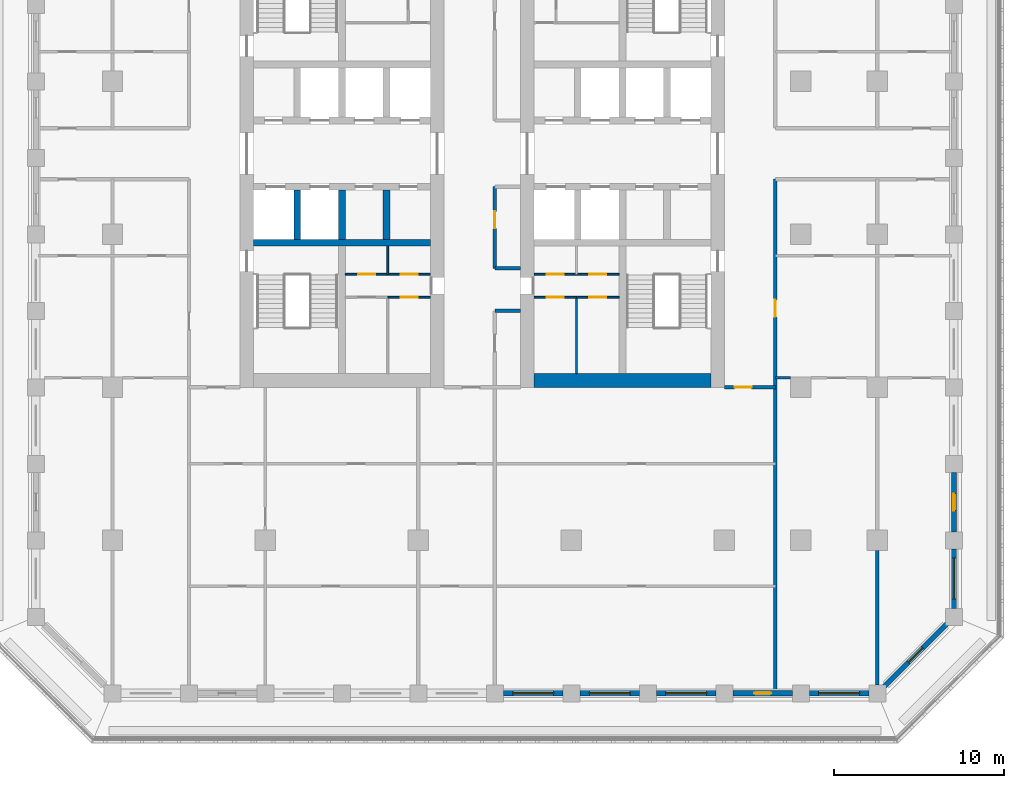
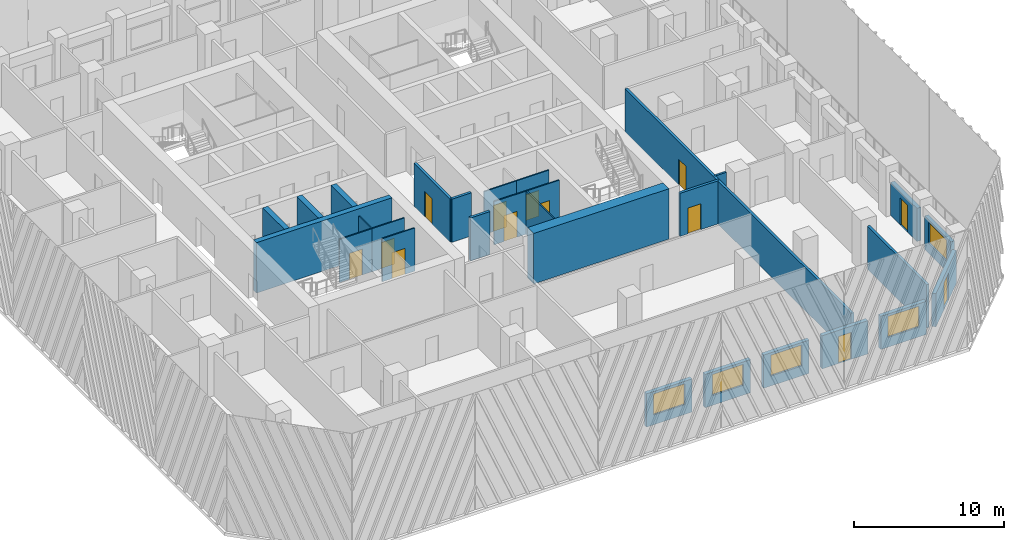
# One storey, part 4 of 17: 29 walls, 13 doors, 5 windows, 18 openings.
"""IFC4 building model written with IfcOpenShell, lengths in metres."""

from ifc_helpers import new_model, si_unit, direction, frame, frame_2d, origin, place, context, subcontext, project, spatial, rectangle, extrude, material, layer, layer_set, type_object, element, fill, save


model = new_model("IFC4")

# Units and contexts
model_context = context("Model", 3, precision=1e-05, world=origin(), true_north=direction((0.0, 1.0)))
body_context = subcontext(model_context, "Body", "Model", "MODEL_VIEW")
ifc_project = project(units=[si_unit("LENGTHUNIT", "METRE"), si_unit("AREAUNIT", "SQUARE_METRE"), si_unit("VOLUMEUNIT", "CUBIC_METRE"), si_unit("PLANEANGLEUNIT", "RADIAN"), si_unit("MASSUNIT", "GRAM", prefix="KILO")], contexts=[model_context])

# Site, building, storey
site_placement = place(None, origin())
site = spatial("IfcSite", under=ifc_project, at=site_placement, CompositionType="ELEMENT")
building_placement = place(site_placement, origin())
building = spatial("IfcBuilding", under=site, at=building_placement, Name="Corbel Stack Research Tower", CompositionType="ELEMENT")
storey_placement = place(building_placement, frame((0.0, 0.0, 216.10009765625)))
storey = spatial("IfcBuildingStorey", under=building, at=storey_placement, Name="L49", CompositionType="ELEMENT", Elevation=216.10009765625)

# Walls
ifc_material_1 = material(Name="Concrete C60/75", Category="concrete")
ifc_layer_1 = layer(ifc_material_1, 0.39990234375)
ifc_layer_set_1 = layer_set([ifc_layer_1], Name="Concrete C60/75")
wall_type_1 = type_object("IfcWallType", Name="CW-400-60", PredefinedType="SHEAR", material=ifc_layer_set_1)
wall_1_placement = place(storey_placement, frame((-9.699951171875, -0.5, 0.0), z_axis=(0.0, 0.0, 1.0), x_axis=(1.0, 0.0, 0.0)))
element("IfcWall", 1, at=wall_1_placement, inside=storey, type_object=wall_type_1, Name="West core wall, south row back L49", PredefinedType="SHEAR", context=body_context, shape_type="SweptSolid", body=[
    extrude(rectangle(XDim=10.39990234375, YDim=0.39990234375, at=frame_2d((5.199951171875, 0.0))), origin(), (0.0, 0.0, 1.0), 4.099853515625),
])
for number, where, z_axis, x_axis, name in (
    (2, (-7.125, -0.300048828125, 0.0), (0.0, 0.0, 1.0), (0.0, 1.0, 0.0), "West core wall, south shaft 1 L49"),
    (3, (-4.5, -0.300048828125, 0.0), (0.0, 0.0, 1.0), (0.0, 1.0, 0.0), "West core wall, south shaft 2 L49"),
    (4, (-1.875, -0.300048828125, 0.0), (0.0, 0.0, 1.0), (0.0, 1.0, 0.0), "West core wall, south shaft 3 L49"),
):
    element("IfcWall", number, at=place(storey_placement, frame(where, z_axis=z_axis, x_axis=x_axis)), inside=storey, type_object=wall_type_1, Name=name, PredefinedType="SHEAR", context=body_context, shape_type="SweptSolid", body=[
        extrude(rectangle(XDim=2.900146484375, YDim=0.39990234375, at=frame_2d((1.4501953125, 0.0))), origin(), (0.0, 0.0, 1.0), 4.099853515625),
    ])
ifc_material_2 = material(Name="Concrete C60/75", Category="concrete")
ifc_layer_2 = layer(ifc_material_2, 0.800048828125)
ifc_layer_set_2 = layer_set([ifc_layer_2], Name="Concrete C60/75")
wall_type_2 = type_object("IfcWallType", Name="CW-800-60", PredefinedType="SHEAR", material=ifc_layer_set_2)
wall_2_placement = place(storey_placement, frame((6.800048828125, -8.60009765625, 0.0), z_axis=(0.0, 0.0, 1.0), x_axis=(1.0, 0.0, 0.0)))
element("IfcWall", 5, at=wall_2_placement, inside=storey, type_object=wall_type_2, Name="East core wall, south end L49", PredefinedType="SHEAR", context=body_context, shape_type="SweptSolid", body=[
    extrude(rectangle(XDim=10.39990234375, YDim=0.800048828125, at=frame_2d((5.199951171875, 0.0))), origin(), (0.0, 0.0, 1.0), 4.099853515625),
])

# Wall, opening, door
ifc_material_3 = material(Name="Gypsum board")
ifc_layer_3 = layer(ifc_material_3, 0.10009765625)
ifc_layer_set_3 = layer_set([ifc_layer_3], Name="Gypsum board")
wall_type_3 = type_object("IfcWallType", Name="Core partition 100", PredefinedType="PARTITIONING", material=ifc_layer_set_3)
wall_3_placement = place(storey_placement, frame((-1.800048828125, -3.699951171875, 0.0), z_axis=(0.0, 0.0, 1.0), x_axis=(1.0, 0.0, 0.0)))
wall_3 = element("IfcWall", 6, at=wall_3_placement, inside=storey, type_object=wall_type_3, Name="Core partition W", PredefinedType="PARTITIONING", context=body_context, shape_type="SweptSolid", body=[
    extrude(rectangle(XDim=2.5, YDim=0.10009765625, at=frame_2d((1.25, 0.0))), origin(), (0.0, 0.0, 1.0), 3.5),
])
opening_1_placement = place(wall_3_placement, frame((0.75, 0.0, 0.0)))
opening_1 = element("IfcOpeningElement", 7, at=opening_1_placement, cuts=wall_3, Name="Opening CR-W54-W2-1000", PredefinedType="OPENING", context=body_context, shape_type="SweptSolid", body=[
    extrude(rectangle(XDim=1.0, YDim=2.10009765625, at=frame_2d((0.5, 1.050048828125))), frame((0.0, 0.06005859375, 0.0), z_axis=(0.0, -1.0, 0.0), x_axis=(1.0, 0.0, 0.0)), (0.0, 0.0, 1.0), 0.1201171875),
])
ifc_material_4 = material(Name="Painted timber door", Category="wood")
door_type_1 = type_object("IfcDoorType", Name="WC door 1000 x 2100 right hand", OperationType="SINGLE_SWING_RIGHT", PredefinedType="DOOR", material=ifc_material_4)
door_1_placement = place(opening_1_placement, origin())
door_1 = element("IfcDoor", 8, at=door_1_placement, inside=storey, type_object=door_type_1, Name="Women's WC door W core", OperationType="SINGLE_SWING_RIGHT", OverallHeight=2.10009765625, OverallWidth=1.0, PredefinedType="DOOR", context=body_context, shape_type="SweptSolid", body=[
    extrude(rectangle(XDim=1.0, YDim=2.10009765625, at=frame_2d((0.5, 1.050048828125))), frame((0.0, 0.02490234375, 0.0), z_axis=(0.0, -1.0, 0.0), x_axis=(1.0, 0.0, 0.0)), (0.0, 0.0, 1.0), 0.050048828125),
])
fill(opening_1, door_1)

wall_4_placement = place(storey_placement, frame((-1.800048828125, -2.35009765625, 0.0), z_axis=(0.0, 0.0, 1.0), x_axis=(1.0, 0.0, 0.0)))
wall_4 = element("IfcWall", 9, at=wall_4_placement, inside=storey, type_object=wall_type_3, Name="Core partition W", PredefinedType="PARTITIONING", context=body_context, shape_type="SweptSolid", body=[
    extrude(rectangle(XDim=2.5, YDim=0.10009765625, at=frame_2d((1.25, 0.0))), origin(), (0.0, 0.0, 1.0), 3.5),
])
opening_2_placement = place(wall_4_placement, frame((0.75, 0.0, 0.0)))
opening_2 = element("IfcOpeningElement", 10, at=opening_2_placement, cuts=wall_4, Name="Opening CR-W54-W4-1000", PredefinedType="OPENING", context=body_context, shape_type="SweptSolid", body=[
    extrude(rectangle(XDim=1.0, YDim=2.10009765625, at=frame_2d((0.5, 1.050048828125))), frame((0.0, 0.06005859375, 0.0), z_axis=(0.0, -1.0, 0.0), x_axis=(1.0, 0.0, 0.0)), (0.0, 0.0, 1.0), 0.1201171875),
])
door_2_placement = place(opening_2_placement, origin())
door_2 = element("IfcDoor", 11, at=door_2_placement, inside=storey, type_object=door_type_1, Name="Accessible WC door W core", OperationType="SINGLE_SWING_RIGHT", OverallHeight=2.10009765625, OverallWidth=1.0, PredefinedType="DOOR", context=body_context, shape_type="SweptSolid", body=[
    extrude(rectangle(XDim=1.0, YDim=2.10009765625, at=frame_2d((0.5, 1.050048828125))), frame((0.0, 0.02490234375, 0.0), z_axis=(0.0, -1.0, 0.0), x_axis=(1.0, 0.0, 0.0)), (0.0, 0.0, 1.0), 0.050048828125),
])
fill(opening_2, door_2)

wall_5_placement = place(storey_placement, frame((-4.300048828125, -2.35009765625, 0.0), z_axis=(0.0, 0.0, 1.0), x_axis=(1.0, 0.0, 0.0)))
wall_5 = element("IfcWall", 12, at=wall_5_placement, inside=storey, type_object=wall_type_3, Name="Core partition W", PredefinedType="PARTITIONING", context=body_context, shape_type="SweptSolid", body=[
    extrude(rectangle(XDim=2.5, YDim=0.10009765625, at=frame_2d((1.25, 0.0))), origin(), (0.0, 0.0, 1.0), 3.5),
])
opening_3_placement = place(wall_5_placement, frame((0.75, 0.0, 0.0)))
opening_3 = element("IfcOpeningElement", 13, at=opening_3_placement, cuts=wall_5, Name="Opening CR-W54-W5-1000", PredefinedType="OPENING", context=body_context, shape_type="SweptSolid", body=[
    extrude(rectangle(XDim=1.0, YDim=2.10009765625, at=frame_2d((0.5, 1.050048828125))), frame((0.0, 0.06005859375, 0.0), z_axis=(0.0, -1.0, 0.0), x_axis=(1.0, 0.0, 0.0)), (0.0, 0.0, 1.0), 0.1201171875),
])
ifc_material_5 = material(Name="Painted timber door", Category="wood")
door_type_2 = type_object("IfcDoorType", Name="WC door 1000 x 2100 left hand", OperationType="SINGLE_SWING_LEFT", PredefinedType="DOOR", material=ifc_material_5)
door_3_placement = place(opening_3_placement, origin())
door_3 = element("IfcDoor", 14, at=door_3_placement, inside=storey, type_object=door_type_2, Name="Shower and changing room door W core", OperationType="SINGLE_SWING_LEFT", OverallHeight=2.10009765625, OverallWidth=1.0, PredefinedType="DOOR", context=body_context, shape_type="SweptSolid", body=[
    extrude(rectangle(XDim=1.0, YDim=2.10009765625, at=frame_2d((0.5, 1.050048828125))), frame((0.0, 0.02490234375, 0.0), z_axis=(0.0, -1.0, 0.0), x_axis=(1.0, 0.0, 0.0)), (0.0, 0.0, 1.0), 0.050048828125),
])
fill(opening_3, door_3)

# Wall
wall_6_placement = place(storey_placement, frame((-1.800048828125, -2.35009765625, 0.0), z_axis=(0.0, 0.0, 1.0), x_axis=(0.0, 1.0, 0.0)))
element("IfcWall", 15, at=wall_6_placement, inside=storey, type_object=wall_type_3, Name="Core partition W", PredefinedType="PARTITIONING", context=body_context, shape_type="SweptSolid", body=[
    extrude(rectangle(XDim=1.650146484375, YDim=0.10009765625, at=frame_2d((0.8251953125, 0.0))), origin(), (0.0, 0.0, 1.0), 3.5),
])

# Wall, opening, door
wall_7_placement = place(storey_placement, frame((6.800048828125, -3.699951171875, 0.0), z_axis=(0.0, 0.0, 1.0), x_axis=(1.0, 0.0, 0.0)))
wall_7 = element("IfcWall", 16, at=wall_7_placement, inside=storey, type_object=wall_type_3, Name="Core partition E", PredefinedType="PARTITIONING", context=body_context, shape_type="SweptSolid", body=[
    extrude(rectangle(XDim=2.5, YDim=0.10009765625, at=frame_2d((1.25, 0.0))), origin(), (0.0, 0.0, 1.0), 3.5),
])
opening_4_placement = place(wall_7_placement, frame((0.75, 0.0, 0.0)))
opening_4 = element("IfcOpeningElement", 17, at=opening_4_placement, cuts=wall_7, Name="Opening CR-E54-W2-1000", PredefinedType="OPENING", context=body_context, shape_type="SweptSolid", body=[
    extrude(rectangle(XDim=1.0, YDim=2.10009765625, at=frame_2d((0.5, 1.050048828125))), frame((0.0, 0.06005859375, 0.0), z_axis=(0.0, -1.0, 0.0), x_axis=(1.0, 0.0, 0.0)), (0.0, 0.0, 1.0), 0.1201171875),
])
door_4_placement = place(opening_4_placement, origin())
door_4 = element("IfcDoor", 18, at=door_4_placement, inside=storey, type_object=door_type_2, Name="Women's WC door E core", OperationType="SINGLE_SWING_LEFT", OverallHeight=2.10009765625, OverallWidth=1.0, PredefinedType="DOOR", context=body_context, shape_type="SweptSolid", body=[
    extrude(rectangle(XDim=1.0, YDim=2.10009765625, at=frame_2d((0.5, 1.050048828125))), frame((0.0, 0.02490234375, 0.0), z_axis=(0.0, -1.0, 0.0), x_axis=(1.0, 0.0, 0.0)), (0.0, 0.0, 1.0), 0.050048828125),
])
fill(opening_4, door_4)

wall_8_placement = place(storey_placement, frame((9.300048828125, -3.699951171875, 0.0), z_axis=(0.0, 0.0, 1.0), x_axis=(1.0, 0.0, 0.0)))
wall_8 = element("IfcWall", 19, at=wall_8_placement, inside=storey, type_object=wall_type_3, Name="Core partition E", PredefinedType="PARTITIONING", context=body_context, shape_type="SweptSolid", body=[
    extrude(rectangle(XDim=2.5, YDim=0.10009765625, at=frame_2d((1.25, 0.0))), origin(), (0.0, 0.0, 1.0), 3.5),
])
opening_5_placement = place(wall_8_placement, frame((0.75, 0.0, 0.0)))
opening_5 = element("IfcOpeningElement", 20, at=opening_5_placement, cuts=wall_8, Name="Opening CR-E54-W3-1000", PredefinedType="OPENING", context=body_context, shape_type="SweptSolid", body=[
    extrude(rectangle(XDim=1.0, YDim=2.10009765625, at=frame_2d((0.5, 1.050048828125))), frame((0.0, 0.06005859375, 0.0), z_axis=(0.0, -1.0, 0.0), x_axis=(1.0, 0.0, 0.0)), (0.0, 0.0, 1.0), 0.1201171875),
])
door_5_placement = place(opening_5_placement, origin())
door_5 = element("IfcDoor", 21, at=door_5_placement, inside=storey, type_object=door_type_1, Name="Men's WC door E core", OperationType="SINGLE_SWING_RIGHT", OverallHeight=2.10009765625, OverallWidth=1.0, PredefinedType="DOOR", context=body_context, shape_type="SweptSolid", body=[
    extrude(rectangle(XDim=1.0, YDim=2.10009765625, at=frame_2d((0.5, 1.050048828125))), frame((0.0, 0.02490234375, 0.0), z_axis=(0.0, -1.0, 0.0), x_axis=(1.0, 0.0, 0.0)), (0.0, 0.0, 1.0), 0.050048828125),
])
fill(opening_5, door_5)

wall_9_placement = place(storey_placement, frame((6.800048828125, -2.35009765625, 0.0), z_axis=(0.0, 0.0, 1.0), x_axis=(1.0, 0.0, 0.0)))
wall_9 = element("IfcWall", 22, at=wall_9_placement, inside=storey, type_object=wall_type_3, Name="Core partition E", PredefinedType="PARTITIONING", context=body_context, shape_type="SweptSolid", body=[
    extrude(rectangle(XDim=2.5, YDim=0.10009765625, at=frame_2d((1.25, 0.0))), origin(), (0.0, 0.0, 1.0), 3.5),
])
opening_6_placement = place(wall_9_placement, frame((0.75, 0.0, 0.0)))
opening_6 = element("IfcOpeningElement", 23, at=opening_6_placement, cuts=wall_9, Name="Opening CR-E54-W4-1000", PredefinedType="OPENING", context=body_context, shape_type="SweptSolid", body=[
    extrude(rectangle(XDim=1.0, YDim=2.10009765625, at=frame_2d((0.5, 1.050048828125))), frame((0.0, 0.06005859375, 0.0), z_axis=(0.0, -1.0, 0.0), x_axis=(1.0, 0.0, 0.0)), (0.0, 0.0, 1.0), 0.1201171875),
])
door_6_placement = place(opening_6_placement, origin())
door_6 = element("IfcDoor", 24, at=door_6_placement, inside=storey, type_object=door_type_2, Name="Accessible WC door E core", OperationType="SINGLE_SWING_LEFT", OverallHeight=2.10009765625, OverallWidth=1.0, PredefinedType="DOOR", context=body_context, shape_type="SweptSolid", body=[
    extrude(rectangle(XDim=1.0, YDim=2.10009765625, at=frame_2d((0.5, 1.050048828125))), frame((0.0, 0.02490234375, 0.0), z_axis=(0.0, -1.0, 0.0), x_axis=(1.0, 0.0, 0.0)), (0.0, 0.0, 1.0), 0.050048828125),
])
fill(opening_6, door_6)

wall_10_placement = place(storey_placement, frame((9.300048828125, -2.35009765625, 0.0), z_axis=(0.0, 0.0, 1.0), x_axis=(1.0, 0.0, 0.0)))
wall_10 = element("IfcWall", 25, at=wall_10_placement, inside=storey, type_object=wall_type_3, Name="Core partition E", PredefinedType="PARTITIONING", context=body_context, shape_type="SweptSolid", body=[
    extrude(rectangle(XDim=2.5, YDim=0.10009765625, at=frame_2d((1.25, 0.0))), origin(), (0.0, 0.0, 1.0), 3.5),
])
opening_7_placement = place(wall_10_placement, frame((0.75, 0.0, 0.0)))
opening_7 = element("IfcOpeningElement", 26, at=opening_7_placement, cuts=wall_10, Name="Opening CR-E54-W5-1000", PredefinedType="OPENING", context=body_context, shape_type="SweptSolid", body=[
    extrude(rectangle(XDim=1.0, YDim=2.10009765625, at=frame_2d((0.5, 1.050048828125))), frame((0.0, 0.06005859375, 0.0), z_axis=(0.0, -1.0, 0.0), x_axis=(1.0, 0.0, 0.0)), (0.0, 0.0, 1.0), 0.1201171875),
])
door_7_placement = place(opening_7_placement, origin())
door_7 = element("IfcDoor", 27, at=door_7_placement, inside=storey, type_object=door_type_1, Name="Shower and changing room door E core", OperationType="SINGLE_SWING_RIGHT", OverallHeight=2.10009765625, OverallWidth=1.0, PredefinedType="DOOR", context=body_context, shape_type="SweptSolid", body=[
    extrude(rectangle(XDim=1.0, YDim=2.10009765625, at=frame_2d((0.5, 1.050048828125))), frame((0.0, 0.02490234375, 0.0), z_axis=(0.0, -1.0, 0.0), x_axis=(1.0, 0.0, 0.0)), (0.0, 0.0, 1.0), 0.050048828125),
])
fill(opening_7, door_7)

# Wall
wall_11_placement = place(storey_placement, frame((9.300048828125, -8.199951171875, 0.0), z_axis=(0.0, 0.0, 1.0), x_axis=(0.0, 1.0, 0.0)))
element("IfcWall", 28, at=wall_11_placement, inside=storey, type_object=wall_type_3, Name="Core partition E", PredefinedType="PARTITIONING", context=body_context, shape_type="SweptSolid", body=[
    extrude(rectangle(XDim=4.5, YDim=0.10009765625, at=frame_2d((2.25, 0.0))), origin(), (0.0, 0.0, 1.0), 3.5),
])

# Wall, opening, door
ifc_material_6 = material(Name="Fire-rated gypsum board partition on steel studs", Category="steel")
ifc_layer_4 = layer(ifc_material_6, 0.199951171875)
ifc_layer_set_4 = layer_set([ifc_layer_4], Name="Fire-rated gypsum board partition on steel studs")
wall_type_4 = type_object("IfcWallType", Name="Fire-rated partition 200 EI 60", PredefinedType="PARTITIONING", material=ifc_layer_set_4)
wall_12_placement = place(storey_placement, frame((4.5, 2.800048828125, 0.0), z_axis=(0.0, 0.0, 1.0), x_axis=(0.0, -1.0, 0.0)))
wall_12 = element("IfcWall", 29, at=wall_12_placement, inside=storey, type_object=wall_type_4, Name="Partition L49-019", PredefinedType="PARTITIONING", context=body_context, shape_type="SweptSolid", body=[
    extrude(rectangle(XDim=4.800048828125, YDim=0.199951171875, at=frame_2d((2.39990234375, 0.0))), origin(), (0.0, 0.0, 1.0), 3.5),
])
opening_8_placement = place(wall_12_placement, frame((1.449951171875, 0.0, 0.0)))
opening_8 = element("IfcOpeningElement", 30, at=opening_8_placement, cuts=wall_12, Name="Opening B6V2-027", PredefinedType="OPENING", context=body_context, shape_type="SweptSolid", body=[
    extrude(rectangle(XDim=1.0, YDim=2.10009765625, at=frame_2d((0.5, 1.050048828125))), frame((0.0, 0.10986328125, 0.0), z_axis=(0.0, -1.0, 0.0), x_axis=(1.0, 0.0, 0.0)), (0.0, 0.0, 1.0), 0.219970703125),
])
ifc_material_7 = material(Name="Painted steel fire door", Category="steel")
door_type_3 = type_object("IfcDoorType", Name="Fire door FD30S 1000 x 2100", OperationType="NOTDEFINED", PredefinedType="DOOR", material=ifc_material_7)
door_8_placement = place(opening_8_placement, origin())
door_8 = element("IfcDoor", 31, at=door_8_placement, inside=storey, type_object=door_type_3, Name="Door B6V2-027", OperationType="SINGLE_SWING_LEFT", OverallHeight=2.10009765625, OverallWidth=1.0, PredefinedType="DOOR", context=body_context, shape_type="SweptSolid", body=[
    extrude(rectangle(XDim=1.0, YDim=2.10009765625, at=frame_2d((0.5, 1.050048828125))), frame((0.0, 0.02490234375, 0.0), z_axis=(0.0, -1.0, 0.0), x_axis=(1.0, 0.0, 0.0)), (0.0, 0.0, 1.0), 0.050048828125),
])
fill(opening_8, door_8)

wall_13_placement = place(storey_placement, frame((21.0, 3.25, 0.0), z_axis=(0.0, 0.0, 1.0), x_axis=(0.0, -1.0, 0.0)))
wall_13 = element("IfcWall", 32, at=wall_13_placement, inside=storey, type_object=wall_type_4, Name="Partition L49-021", PredefinedType="PARTITIONING", context=body_context, shape_type="SweptSolid", body=[
    extrude(rectangle(XDim=30.10009765625, YDim=0.199951171875, at=frame_2d((15.050048828125, 0.0))), origin(), (0.0, 0.0, 1.0), 3.5),
])
opening_9_placement = place(wall_13_placement, frame((7.10009765625, 0.0, 0.0)))
opening_9 = element("IfcOpeningElement", 33, at=opening_9_placement, cuts=wall_13, Name="Opening B6V2-042", PredefinedType="OPENING", context=body_context, shape_type="SweptSolid", body=[
    extrude(rectangle(XDim=1.0, YDim=2.10009765625, at=frame_2d((0.5, 1.050048828125))), frame((0.0, 0.10986328125, 0.0), z_axis=(0.0, -1.0, 0.0), x_axis=(1.0, 0.0, 0.0)), (0.0, 0.0, 1.0), 0.219970703125),
])
door_9_placement = place(opening_9_placement, origin())
door_9 = element("IfcDoor", 34, at=door_9_placement, inside=storey, type_object=door_type_3, Name="Door B6V2-042", OperationType="SINGLE_SWING_LEFT", OverallHeight=2.10009765625, OverallWidth=1.0, PredefinedType="DOOR", context=body_context, shape_type="SweptSolid", body=[
    extrude(rectangle(XDim=1.0, YDim=2.10009765625, at=frame_2d((0.5, 1.050048828125))), frame((0.0, 0.02490234375, 0.0), z_axis=(0.0, -1.0, 0.0), x_axis=(1.0, 0.0, 0.0)), (0.0, 0.0, 1.0), 0.050048828125),
])
fill(opening_9, door_9)

# Wall
wall_14_placement = place(storey_placement, frame((27.0, -26.5, 0.0), z_axis=(0.0, 0.0, 1.0), x_axis=(0.0, 1.0, 0.0)))
element("IfcWall", 35, at=wall_14_placement, inside=storey, type_object=wall_type_4, Name="Partition L49-023", PredefinedType="PARTITIONING", context=body_context, shape_type="SweptSolid", body=[
    extrude(rectangle(XDim=7.89990234375, YDim=0.199951171875, at=frame_2d((3.949951171875, 0.0))), origin(), (0.0, 0.0, 1.0), 3.5),
])

# Wall, opening, door
wall_15_placement = place(storey_placement, frame((21.0, -9.0, 0.0), z_axis=(0.0, 0.0, 1.0), x_axis=(-1.0, 0.0, 0.0)))
wall_15 = element("IfcWall", 36, at=wall_15_placement, inside=storey, type_object=wall_type_4, Name="Partition L49-034", PredefinedType="PARTITIONING", context=body_context, shape_type="SweptSolid", body=[
    extrude(rectangle(XDim=3.0, YDim=0.199951171875, at=frame_2d((1.5, 0.0))), origin(), (0.0, 0.0, 1.0), 3.5),
])
opening_10_placement = place(wall_15_placement, frame((1.39990234375, 0.0, 0.0)))
opening_10 = element("IfcOpeningElement", 37, at=opening_10_placement, cuts=wall_15, Name="Opening B6V2-014", PredefinedType="OPENING", context=body_context, shape_type="SweptSolid", body=[
    extrude(rectangle(XDim=1.0, YDim=2.10009765625, at=frame_2d((0.5, 1.050048828125))), frame((0.0, 0.10986328125, 0.0), z_axis=(0.0, -1.0, 0.0), x_axis=(1.0, 0.0, 0.0)), (0.0, 0.0, 1.0), 0.219970703125),
])
door_10_placement = place(opening_10_placement, origin())
door_10 = element("IfcDoor", 38, at=door_10_placement, inside=storey, type_object=door_type_3, Name="Door B6V2-014", OperationType="SINGLE_SWING_RIGHT", OverallHeight=2.10009765625, OverallWidth=1.0, PredefinedType="DOOR", context=body_context, shape_type="SweptSolid", body=[
    extrude(rectangle(XDim=1.0, YDim=2.10009765625, at=frame_2d((0.5, 1.050048828125))), frame((0.0, 0.02490234375, 0.0), z_axis=(0.0, -1.0, 0.0), x_axis=(1.0, 0.0, 0.0)), (0.0, 0.0, 1.0), 0.050048828125),
])
fill(opening_10, door_10)

# Walls
for number, where, z_axis, x_axis, name in (
    (39, (4.5, -4.5, 0.0), (0.0, 0.0, 1.0), (1.0, 0.0, 0.0), "Partition L49-040"),
    (40, (4.5, -2.0, 0.0), (0.0, 0.0, 1.0), (1.0, 0.0, 0.0), "Partition L49-041"),
):
    element("IfcWall", number, at=place(storey_placement, frame(where, z_axis=z_axis, x_axis=x_axis)), inside=storey, type_object=wall_type_4, Name=name, PredefinedType="PARTITIONING", context=body_context, shape_type="SweptSolid", body=[
        extrude(rectangle(XDim=1.5, YDim=0.199951171875, at=frame_2d((0.75, 0.0))), origin(), (0.0, 0.0, 1.0), 3.5),
    ])
ifc_material_8 = material(Name="Gypsum board partition on steel studs", Category="steel")
ifc_layer_5 = layer(ifc_material_8, 0.14990234375)
ifc_layer_set_5 = layer_set([ifc_layer_5], Name="Gypsum board partition on steel studs")
wall_type_5 = type_object("IfcWallType", Name="Partition 150", PredefinedType="PARTITIONING", material=ifc_layer_set_5)
wall_16_placement = place(storey_placement, frame((21.0, -8.449951171875, 0.0), z_axis=(0.0, 0.0, 1.0), x_axis=(1.0, 0.0, 0.0)))
element("IfcWall", 41, at=wall_16_placement, inside=storey, type_object=wall_type_5, Name="Partition L49-037", PredefinedType="PARTITIONING", context=body_context, shape_type="SweptSolid", body=[
    extrude(rectangle(XDim=0.89990234375, YDim=0.14990234375, at=frame_2d((0.449951171875, 0.0))), origin(), (0.0, 0.0, 1.0), 3.5),
])

# Wall, opening, window
ifc_material_9 = material(Name="Concrete C45/55", Category="concrete")
ifc_layer_6 = layer(ifc_material_9, 0.300048828125)
ifc_layer_set_6 = layer_set([ifc_layer_6], Name="Concrete C45/55")
wall_type_6 = type_object("IfcWallType", Name="Terracotta-faced concrete wall 300", PredefinedType="SOLIDWALL", material=ifc_layer_set_6)
wall_17_placement = place(storey_placement, frame((8.5, -27.0, 0.0), z_axis=(0.0, 0.0, 1.0), x_axis=(-1.0, 0.0, 0.0)))
wall_17 = element("IfcWall", 42, at=wall_17_placement, inside=storey, type_object=wall_type_6, Name="Facade wall L49 S06", PredefinedType="SOLIDWALL", context=body_context, shape_type="SweptSolid", body=[
    extrude(rectangle(XDim=3.5, YDim=0.300048828125, at=frame_2d((1.75, 0.0))), origin(), (0.0, 0.0, 1.0), 2.699951171875),
])
opening_11_placement = place(wall_17_placement, frame((0.550048828125, 0.0, 0.800048828125)))
opening_11 = element("IfcOpeningElement", 43, at=opening_11_placement, cuts=wall_17, Name="Opening W1", PredefinedType="OPENING", context=body_context, shape_type="SweptSolid", body=[
    extrude(rectangle(XDim=2.39990234375, YDim=1.699951171875, at=frame_2d((1.199951171875, 0.85009765625))), frame((0.0, 0.159912109375, 0.0), z_axis=(0.0, -1.0, 0.0), x_axis=(1.0, 0.0, 0.0)), (0.0, 0.0, 1.0), 0.320068359375),
])
ifc_material_10 = material(Name="Aluminium frame, clear double glazing", Category="aluminium")
window_type = type_object("IfcWindowType", Name="Window W1 2400 x 1700", PartitioningType="SINGLE_PANEL", PredefinedType="WINDOW", material=ifc_material_10)
window_1_placement = place(opening_11_placement, origin())
window_1 = element("IfcWindow", 44, at=window_1_placement, inside=storey, type_object=window_type, Name="Window W1 L49 S06", OverallHeight=1.699951171875, OverallWidth=2.39990234375, PartitioningType="SINGLE_PANEL", PredefinedType="WINDOW", context=body_context, shape_type="SweptSolid", body=[
    extrude(rectangle(XDim=2.39990234375, YDim=1.699951171875, at=frame_2d((1.199951171875, 0.85009765625))), frame((0.0, 0.030029296875, 0.0), z_axis=(0.0, -1.0, 0.0), x_axis=(1.0, 0.0, 0.0)), (0.0, 0.0, 1.0), 0.06005859375),
])
fill(opening_11, window_1)

wall_18_placement = place(storey_placement, frame((13.0, -27.0, 0.0), z_axis=(0.0, 0.0, 1.0), x_axis=(-1.0, 0.0, 0.0)))
wall_18 = element("IfcWall", 45, at=wall_18_placement, inside=storey, type_object=wall_type_6, Name="Facade wall L49 S07", PredefinedType="SOLIDWALL", context=body_context, shape_type="SweptSolid", body=[
    extrude(rectangle(XDim=3.5, YDim=0.300048828125, at=frame_2d((1.75, 0.0))), origin(), (0.0, 0.0, 1.0), 2.699951171875),
])
opening_12_placement = place(wall_18_placement, frame((0.550048828125, 0.0, 0.800048828125)))
opening_12 = element("IfcOpeningElement", 46, at=opening_12_placement, cuts=wall_18, Name="Opening W1", PredefinedType="OPENING", context=body_context, shape_type="SweptSolid", body=[
    extrude(rectangle(XDim=2.39990234375, YDim=1.699951171875, at=frame_2d((1.199951171875, 0.85009765625))), frame((0.0, 0.159912109375, 0.0), z_axis=(0.0, -1.0, 0.0), x_axis=(1.0, 0.0, 0.0)), (0.0, 0.0, 1.0), 0.320068359375),
])
window_2_placement = place(opening_12_placement, origin())
window_2 = element("IfcWindow", 47, at=window_2_placement, inside=storey, type_object=window_type, Name="Window W1 L49 S07", OverallHeight=1.699951171875, OverallWidth=2.39990234375, PartitioningType="SINGLE_PANEL", PredefinedType="WINDOW", context=body_context, shape_type="SweptSolid", body=[
    extrude(rectangle(XDim=2.39990234375, YDim=1.699951171875, at=frame_2d((1.199951171875, 0.85009765625))), frame((0.0, 0.030029296875, 0.0), z_axis=(0.0, -1.0, 0.0), x_axis=(1.0, 0.0, 0.0)), (0.0, 0.0, 1.0), 0.06005859375),
])
fill(opening_12, window_2)

wall_19_placement = place(storey_placement, frame((17.5, -27.0, 0.0), z_axis=(0.0, 0.0, 1.0), x_axis=(-1.0, 0.0, 0.0)))
wall_19 = element("IfcWall", 48, at=wall_19_placement, inside=storey, type_object=wall_type_6, Name="Facade wall L49 S08", PredefinedType="SOLIDWALL", context=body_context, shape_type="SweptSolid", body=[
    extrude(rectangle(XDim=3.5, YDim=0.300048828125, at=frame_2d((1.75, 0.0))), origin(), (0.0, 0.0, 1.0), 2.699951171875),
])
opening_13_placement = place(wall_19_placement, frame((0.550048828125, 0.0, 0.800048828125)))
opening_13 = element("IfcOpeningElement", 49, at=opening_13_placement, cuts=wall_19, Name="Opening W1", PredefinedType="OPENING", context=body_context, shape_type="SweptSolid", body=[
    extrude(rectangle(XDim=2.39990234375, YDim=1.699951171875, at=frame_2d((1.199951171875, 0.85009765625))), frame((0.0, 0.159912109375, 0.0), z_axis=(0.0, -1.0, 0.0), x_axis=(1.0, 0.0, 0.0)), (0.0, 0.0, 1.0), 0.320068359375),
])
window_3_placement = place(opening_13_placement, origin())
window_3 = element("IfcWindow", 50, at=window_3_placement, inside=storey, type_object=window_type, Name="Window W1 L49 S08", OverallHeight=1.699951171875, OverallWidth=2.39990234375, PartitioningType="SINGLE_PANEL", PredefinedType="WINDOW", context=body_context, shape_type="SweptSolid", body=[
    extrude(rectangle(XDim=2.39990234375, YDim=1.699951171875, at=frame_2d((1.199951171875, 0.85009765625))), frame((0.0, 0.030029296875, 0.0), z_axis=(0.0, -1.0, 0.0), x_axis=(1.0, 0.0, 0.0)), (0.0, 0.0, 1.0), 0.06005859375),
])
fill(opening_13, window_3)

# Wall, opening, door
wall_20_placement = place(storey_placement, frame((22.0, -27.0, 0.0), z_axis=(0.0, 0.0, 1.0), x_axis=(-1.0, 0.0, 0.0)))
wall_20 = element("IfcWall", 51, at=wall_20_placement, inside=storey, type_object=wall_type_6, Name="Facade wall L49 S09", PredefinedType="SOLIDWALL", context=body_context, shape_type="SweptSolid", body=[
    extrude(rectangle(XDim=3.5, YDim=0.300048828125, at=frame_2d((1.75, 0.0))), origin(), (0.0, 0.0, 1.0), 2.699951171875),
])
opening_14_placement = place(wall_20_placement, frame((1.25, 0.0, 0.0)))
opening_14 = element("IfcOpeningElement", 52, at=opening_14_placement, cuts=wall_20, Name="Opening L49-B02", PredefinedType="OPENING", context=body_context, shape_type="SweptSolid", body=[
    extrude(rectangle(XDim=1.0, YDim=2.199951171875, at=frame_2d((0.5, 1.10009765625))), frame((0.0, 0.159912109375, 0.0), z_axis=(0.0, -1.0, 0.0), x_axis=(1.0, 0.0, 0.0)), (0.0, 0.0, 1.0), 0.320068359375),
])
ifc_material_11 = material(Name="Aluminium frame, clear double glazing", Category="aluminium")
door_type_4 = type_object("IfcDoorType", Name="Balcony door BD1 1000 x 2200", OperationType="NOTDEFINED", PredefinedType="DOOR", material=ifc_material_11)
door_11_placement = place(opening_14_placement, origin())
door_11 = element("IfcDoor", 53, at=door_11_placement, inside=storey, type_object=door_type_4, Name="Balcony door L49-B02", OperationType="SINGLE_SWING_RIGHT", OverallHeight=2.199951171875, OverallWidth=1.0, PredefinedType="DOOR", context=body_context, shape_type="SweptSolid", body=[
    extrude(rectangle(XDim=1.0, YDim=2.199951171875, at=frame_2d((0.5, 1.10009765625))), frame((0.0, 0.02490234375, 0.0), z_axis=(0.0, -1.0, 0.0), x_axis=(1.0, 0.0, 0.0)), (0.0, 0.0, 1.0), 0.050048828125),
])
fill(opening_14, door_11)

# Wall, opening, window
wall_21_placement = place(storey_placement, frame((26.5, -27.0, 0.0), z_axis=(0.0, 0.0, 1.0), x_axis=(-1.0, 0.0, 0.0)))
wall_21 = element("IfcWall", 54, at=wall_21_placement, inside=storey, type_object=wall_type_6, Name="Facade wall L49 S10", PredefinedType="SOLIDWALL", context=body_context, shape_type="SweptSolid", body=[
    extrude(rectangle(XDim=3.5, YDim=0.300048828125, at=frame_2d((1.75, 0.0))), origin(), (0.0, 0.0, 1.0), 2.699951171875),
])
opening_15_placement = place(wall_21_placement, frame((0.550048828125, 0.0, 0.800048828125)))
opening_15 = element("IfcOpeningElement", 55, at=opening_15_placement, cuts=wall_21, Name="Opening W1", PredefinedType="OPENING", context=body_context, shape_type="SweptSolid", body=[
    extrude(rectangle(XDim=2.39990234375, YDim=1.699951171875, at=frame_2d((1.199951171875, 0.85009765625))), frame((0.0, 0.159912109375, 0.0), z_axis=(0.0, -1.0, 0.0), x_axis=(1.0, 0.0, 0.0)), (0.0, 0.0, 1.0), 0.320068359375),
])
window_4_placement = place(opening_15_placement, origin())
window_4 = element("IfcWindow", 56, at=window_4_placement, inside=storey, type_object=window_type, Name="Window W1 L49 S10", OverallHeight=1.699951171875, OverallWidth=2.39990234375, PartitioningType="SINGLE_PANEL", PredefinedType="WINDOW", context=body_context, shape_type="SweptSolid", body=[
    extrude(rectangle(XDim=2.39990234375, YDim=1.699951171875, at=frame_2d((1.199951171875, 0.85009765625))), frame((0.0, 0.030029296875, 0.0), z_axis=(0.0, -1.0, 0.0), x_axis=(1.0, 0.0, 0.0)), (0.0, 0.0, 1.0), 0.06005859375),
])
fill(opening_15, window_4)

# Wall, opening, door
wall_22_placement = place(storey_placement, frame((31.106201171875, -22.893798828125, 0.0), z_axis=(0.0, 0.0, 1.0), x_axis=(-0.707106781187, -0.707106781187, 0.0)))
wall_22 = element("IfcWall", 57, at=wall_22_placement, inside=storey, type_object=wall_type_6, Name="Facade wall L49 SE01", PredefinedType="SOLIDWALL", context=body_context, shape_type="SweptSolid", body=[
    extrude(rectangle(XDim=5.250244140625, YDim=0.300048828125, at=frame_2d((2.625, 0.0))), origin(), (0.0, 0.0, 1.0), 2.699951171875),
])
opening_16_placement = place(wall_22_placement, frame((2.02490234375, 0.0, 0.0)))
opening_16 = element("IfcOpeningElement", 58, at=opening_16_placement, cuts=wall_22, Name="Opening L49-B03", PredefinedType="OPENING", context=body_context, shape_type="SweptSolid", body=[
    extrude(rectangle(XDim=1.199951171875, YDim=2.199951171875, at=frame_2d((0.60009765625, 1.10009765625))), frame((0.0, 0.159912109375, 0.0), z_axis=(0.0, -1.0, 0.0), x_axis=(1.0, 0.0, 0.0)), (0.0, 0.0, 1.0), 0.320068359375),
])
ifc_material_12 = material(Name="Aluminium frame, clear double glazing", Category="aluminium")
door_type_5 = type_object("IfcDoorType", Name="Balcony door BD2 1200 x 2200", OperationType="NOTDEFINED", PredefinedType="DOOR", material=ifc_material_12)
door_12_placement = place(opening_16_placement, origin())
door_12 = element("IfcDoor", 59, at=door_12_placement, inside=storey, type_object=door_type_5, Name="Balcony door L49-B03", OperationType="SINGLE_SWING_RIGHT", OverallHeight=2.199951171875, OverallWidth=1.199951171875, PredefinedType="DOOR", context=body_context, shape_type="SweptSolid", body=[
    extrude(rectangle(XDim=1.199951171875, YDim=2.199951171875, at=frame_2d((0.60009765625, 1.10009765625))), frame((0.0, 0.02490234375, 0.0), z_axis=(0.0, -1.0, 0.0), x_axis=(1.0, 0.0, 0.0)), (0.0, 0.0, 1.0), 0.050048828125),
])
fill(opening_16, door_12)

# Wall, opening, window
wall_23_placement = place(storey_placement, frame((31.5, -18.5, 0.0), z_axis=(0.0, 0.0, 1.0), x_axis=(0.0, -1.0, 0.0)))
wall_23 = element("IfcWall", 60, at=wall_23_placement, inside=storey, type_object=wall_type_6, Name="Facade wall L49 E01", PredefinedType="SOLIDWALL", context=body_context, shape_type="SweptSolid", body=[
    extrude(rectangle(XDim=3.5, YDim=0.300048828125, at=frame_2d((1.75, 0.0))), origin(), (0.0, 0.0, 1.0), 2.699951171875),
])
opening_17_placement = place(wall_23_placement, frame((0.550048828125, 0.0, 0.800048828125)))
opening_17 = element("IfcOpeningElement", 61, at=opening_17_placement, cuts=wall_23, Name="Opening W1", PredefinedType="OPENING", context=body_context, shape_type="SweptSolid", body=[
    extrude(rectangle(XDim=2.39990234375, YDim=1.699951171875, at=frame_2d((1.199951171875, 0.85009765625))), frame((0.0, 0.159912109375, 0.0), z_axis=(0.0, -1.0, 0.0), x_axis=(1.0, 0.0, 0.0)), (0.0, 0.0, 1.0), 0.320068359375),
])
window_5_placement = place(opening_17_placement, origin())
window_5 = element("IfcWindow", 62, at=window_5_placement, inside=storey, type_object=window_type, Name="Window W1 L49 E01", OverallHeight=1.699951171875, OverallWidth=2.39990234375, PartitioningType="SINGLE_PANEL", PredefinedType="WINDOW", context=body_context, shape_type="SweptSolid", body=[
    extrude(rectangle(XDim=2.39990234375, YDim=1.699951171875, at=frame_2d((1.199951171875, 0.85009765625))), frame((0.0, 0.030029296875, 0.0), z_axis=(0.0, -1.0, 0.0), x_axis=(1.0, 0.0, 0.0)), (0.0, 0.0, 1.0), 0.06005859375),
])
fill(opening_17, window_5)

# Wall, opening, door
wall_24_placement = place(storey_placement, frame((31.5, -14.0, 0.0), z_axis=(0.0, 0.0, 1.0), x_axis=(0.0, -1.0, 0.0)))
wall_24 = element("IfcWall", 63, at=wall_24_placement, inside=storey, type_object=wall_type_6, Name="Facade wall L49 E02", PredefinedType="SOLIDWALL", context=body_context, shape_type="SweptSolid", body=[
    extrude(rectangle(XDim=3.5, YDim=0.300048828125, at=frame_2d((1.75, 0.0))), origin(), (0.0, 0.0, 1.0), 2.699951171875),
])
opening_18_placement = place(wall_24_placement, frame((1.25, 0.0, 0.0)))
opening_18 = element("IfcOpeningElement", 64, at=opening_18_placement, cuts=wall_24, Name="Opening L49-B04", PredefinedType="OPENING", context=body_context, shape_type="SweptSolid", body=[
    extrude(rectangle(XDim=1.0, YDim=2.199951171875, at=frame_2d((0.5, 1.10009765625))), frame((0.0, 0.159912109375, 0.0), z_axis=(0.0, -1.0, 0.0), x_axis=(1.0, 0.0, 0.0)), (0.0, 0.0, 1.0), 0.320068359375),
])
door_13_placement = place(opening_18_placement, origin())
door_13 = element("IfcDoor", 65, at=door_13_placement, inside=storey, type_object=door_type_4, Name="Balcony door L49-B04", OperationType="SINGLE_SWING_LEFT", OverallHeight=2.199951171875, OverallWidth=1.0, PredefinedType="DOOR", context=body_context, shape_type="SweptSolid", body=[
    extrude(rectangle(XDim=1.0, YDim=2.199951171875, at=frame_2d((0.5, 1.10009765625))), frame((0.0, 0.02490234375, 0.0), z_axis=(0.0, -1.0, 0.0), x_axis=(1.0, 0.0, 0.0)), (0.0, 0.0, 1.0), 0.050048828125),
])
fill(opening_18, door_13)

save(model, "model.ifc")
